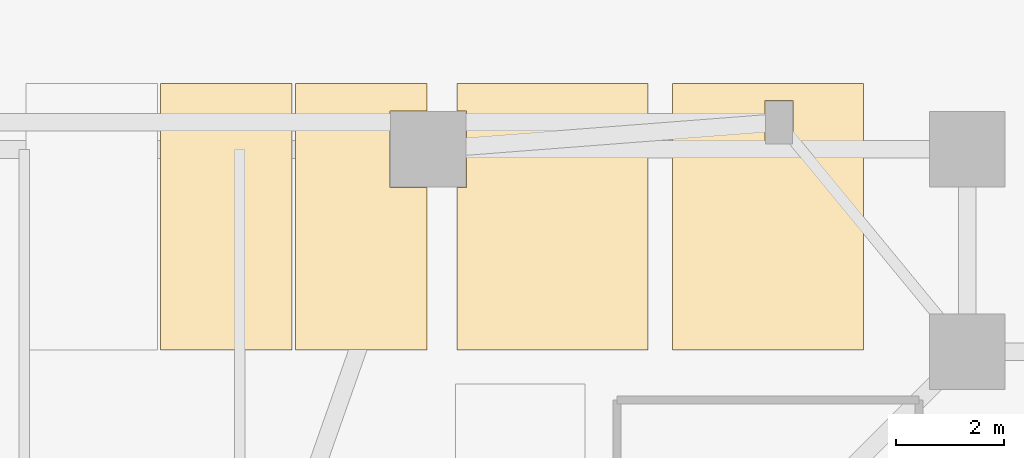
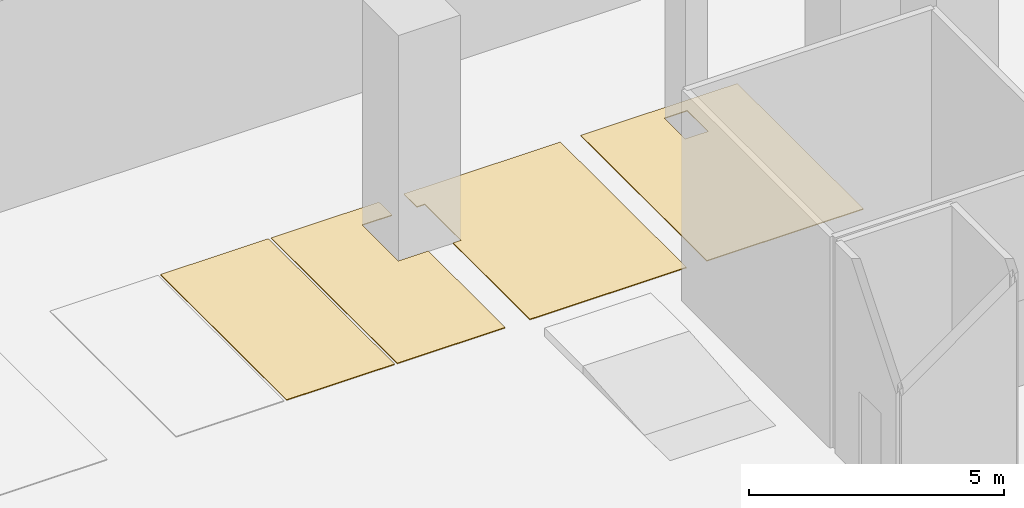
# One storey, part 12 of 14: 4 coverings.
"""IFC4 building model written with IfcOpenShell, lengths in metres."""

from ifc_helpers import new_model, si_unit, direction, frame, origin, place, context, subcontext, project, spatial, polyline, outline, extrude, material, layer, layer_set, type_object, element, save


model = new_model("IFC4")

# Units and contexts
model_context = context("Model", 3, precision=1e-05, world=origin(), true_north=direction((0.0, 1.0)))
body_context = subcontext(model_context, "Body", "Model", "MODEL_VIEW")
ifc_project = project(units=[si_unit("LENGTHUNIT", "METRE"), si_unit("AREAUNIT", "SQUARE_METRE"), si_unit("VOLUMEUNIT", "CUBIC_METRE"), si_unit("PLANEANGLEUNIT", "RADIAN"), si_unit("MASSUNIT", "GRAM", prefix="KILO")], contexts=[model_context])

# Site, building, storey
site_placement = place(None, origin())
site = spatial("IfcSite", under=ifc_project, at=site_placement, CompositionType="ELEMENT")
building_placement = place(site_placement, origin())
building = spatial("IfcBuilding", under=site, at=building_placement, Name="Trevonay Congress Spire", CompositionType="ELEMENT")
storey_placement = place(building_placement, frame((0.0, 0.0, -5.39990234375)))
storey = spatial("IfcBuildingStorey", under=building, at=storey_placement, Name="B1", CompositionType="ELEMENT", Elevation=-5.39990234375)

# Coverings
ifc_material = material(Name="Polished Granite Floor Tile", Category="masonry")
ifc_layer = layer(ifc_material, 0.02001953125, Name="Polished Granite Floor Tile")
ifc_layer_set = layer_set([ifc_layer], Name="Polished Granite Floor Tile")
covering_type = type_object("IfcCoveringType", Name="COV-FLOOR-STONE", PredefinedType="FLOORING", material=ifc_layer_set)
covering_1_placement = place(storey_placement, origin())
element("IfcCovering", 1, at=covering_1_placement, inside=storey, type_object=covering_type, Name="B1 Standard Parking Bay PK-43 floor finish", PredefinedType="FLOORING", context=body_context, shape_type="SweptSolid", body=[
    extrude(outline(polyline([(4.530029296875, 19.530029296875), (6.969970703125, 19.530029296875), (6.969970703125, 24.469970703125), (4.530029296875, 24.469970703125), (4.530029296875, 19.530029296875)])), origin(), (0.0, 0.0, 1.0), 0.02001953125),
])
covering_2_placement = place(storey_placement, origin())
element("IfcCovering", 2, at=covering_2_placement, inside=storey, type_object=covering_type, Name="B1 Standard Parking Bay PK-44 floor finish", PredefinedType="FLOORING", context=body_context, shape_type="SweptSolid", body=[
    extrude(outline(polyline([(9.469970703125, 19.530029296875), (7.030029296875, 19.530029296875), (7.030029296875, 24.469970703125), (9.469970703125, 24.469970703125), (9.469970703125, 23.9599609375), (8.7900390625, 23.9599609375), (8.7900390625, 22.5400390625), (9.469970703125, 22.5400390625), (9.469970703125, 19.530029296875)])), origin(), (0.0, 0.0, 1.0), 0.02001953125),
])
covering_3_placement = place(storey_placement, origin())
element("IfcCovering", 3, at=covering_3_placement, inside=storey, type_object=covering_type, Name="B1 Accessible Parking Bay PK-45 floor finish", PredefinedType="FLOORING", context=body_context, shape_type="SweptSolid", body=[
    extrude(outline(polyline([(10.030029296875, 24.469970703125), (13.570068359375, 24.469970703125), (13.570068359375, 19.530029296875), (10.030029296875, 19.530029296875), (10.030029296875, 22.5400390625), (10.2099609375, 22.5400390625), (10.2099609375, 23.9599609375), (10.030029296875, 23.9599609375), (10.030029296875, 24.469970703125)])), origin(), (0.0, 0.0, 1.0), 0.02001953125),
])
covering_4_placement = place(storey_placement, origin())
element("IfcCovering", 4, at=covering_4_placement, inside=storey, type_object=covering_type, Name="B1 Accessible Parking Bay PK-46 floor finish", PredefinedType="FLOORING", context=body_context, shape_type="SweptSolid", body=[
    extrude(outline(polyline([(14.030029296875, 24.469970703125), (17.570068359375, 24.469970703125), (17.570068359375, 19.530029296875), (14.030029296875, 19.530029296875), (14.030029296875, 24.469970703125)]), holes=[polyline([(16.260009765625, 23.340087890625), (16.260009765625, 24.159912109375), (15.739990234375, 24.159912109375), (15.739990234375, 23.340087890625), (16.260009765625, 23.340087890625)])]), origin(), (0.0, 0.0, 1.0), 0.02001953125),
])

save(model, "model.ifc")
